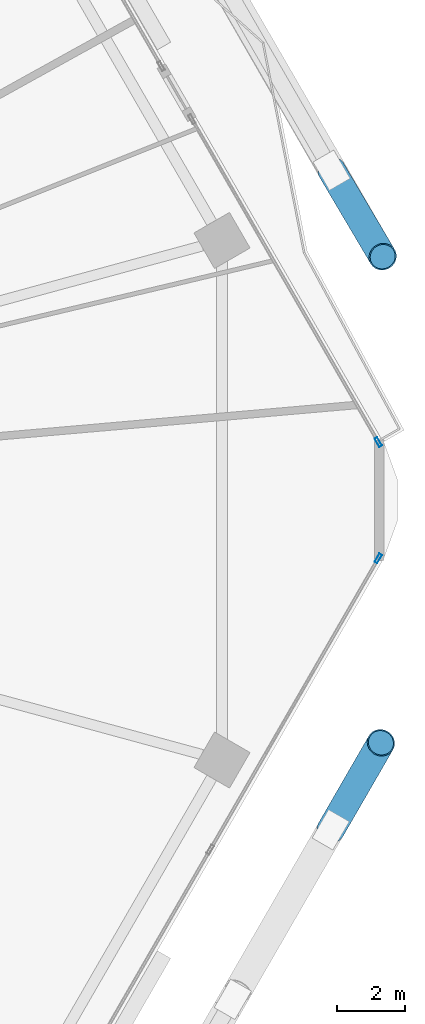
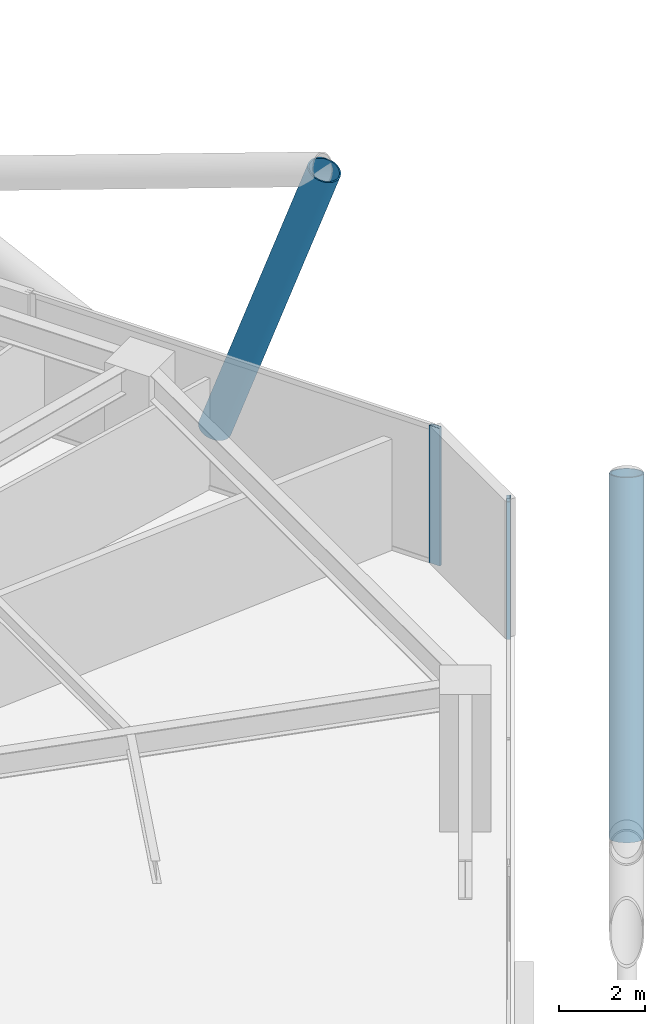
# One storey, part 23 of 30: 4 members, 2 elements without a shape of their own.
"""IFC4 building model written with IfcOpenShell, lengths in metres."""

from ifc_helpers import new_model, si_unit, direction, frame, origin, origin_2d, place, context, subcontext, project, spatial, hollow_rectangle, hollow_circle, extrude, material, material_profile, profile_set, type_object, element, aggregate, save


model = new_model("IFC4")

# Units and contexts
model_context = context("Model", 3, precision=1e-05, world=origin(), true_north=direction((0.0, 1.0)))
body_context = subcontext(model_context, "Body", "Model", "MODEL_VIEW")
ifc_project = project(units=[si_unit("LENGTHUNIT", "METRE"), si_unit("AREAUNIT", "SQUARE_METRE"), si_unit("VOLUMEUNIT", "CUBIC_METRE"), si_unit("PLANEANGLEUNIT", "RADIAN"), si_unit("MASSUNIT", "GRAM", prefix="KILO")], contexts=[model_context])

# Site, building, storey
site_placement = place(None, origin())
site = spatial("IfcSite", under=ifc_project, at=site_placement, CompositionType="ELEMENT")
building_placement = place(site_placement, origin())
building = spatial("IfcBuilding", under=site, at=building_placement, Name="Zuhravey Tower", CompositionType="ELEMENT")
storey_placement = place(building_placement, frame((0.0, 0.0, 16.199951171875)))
storey = spatial("IfcBuildingStorey", under=building, at=storey_placement, Name="L04", CompositionType="ELEMENT", Elevation=16.199951171875)

# Curtain wall, member
ifc_material_1 = material(Name="Thermally broken anodised aluminium", Category="aluminium")
curtain_wall_type = type_object("IfcCurtainWallType", Name="School Low-E Unitised Curtain Wall CW1", PredefinedType="NOTDEFINED", material=ifc_material_1)
curtain_wall_1_placement = place(storey_placement, origin())
curtain_wall_1 = element("IfcCurtainWall", 1, at=curtain_wall_1_placement, inside=storey, type_object=curtain_wall_type, Name="L04 CW1 CW-L04-F6-1", PredefinedType="NOTDEFINED")
ifc_material_2 = material(Name="Anodised aluminium", Category="aluminium")
ifc_material_profile_1 = material_profile(ifc_material_2, hollow_rectangle(XDim=0.090087890625, YDim=0.284912109375, WallThickness=0.0048828125, at=origin_2d()), Name="ALU-RHS-90x285x5")
ifc_profile_set_1 = profile_set([ifc_material_profile_1], Name="Anodised aluminium")
member_type_1 = type_object("IfcMemberType", Name="Curtain-Wall Mullion 90x180", PredefinedType="MULLION", material=ifc_profile_set_1)
member_1_placement = place(storey_placement, frame((68.4560546875, 30.298583984375, 0.0), z_axis=(0.0, 0.0, 1.0), x_axis=(0.86602552265, -0.499999794119, 0.0)))
member_1 = element("IfcMember", 2, at=member_1_placement, type_object=member_type_1, Name="CW1 mullion 1", PredefinedType="MULLION", context=body_context, shape_type="SweptSolid", body=[
    extrude(hollow_rectangle(XDim=0.090087890625, YDim=0.284912109375, WallThickness=0.0048828125, at=origin_2d()), origin(), (0.0, 0.0, 1.0), 3.920166015625),
])
aggregate(curtain_wall_1, [member_1])

curtain_wall_2_placement = place(storey_placement, origin())
curtain_wall_2 = element("IfcCurtainWall", 3, at=curtain_wall_2_placement, inside=storey, type_object=curtain_wall_type, Name="L04 CW1 CW-L04-F1-2", PredefinedType="NOTDEFINED")
member_2_placement = place(storey_placement, frame((68.4560546875, 33.701416015625, 0.0), z_axis=(0.0, 0.0, 1.0), x_axis=(0.866026545681, 0.499998022171, 0.0)))
member_2 = element("IfcMember", 4, at=member_2_placement, type_object=member_type_1, Name="CW1 mullion 2", PredefinedType="MULLION", context=body_context, shape_type="SweptSolid", body=[
    extrude(hollow_rectangle(XDim=0.090087890625, YDim=0.284912109375, WallThickness=0.0048828125, at=origin_2d()), origin(), (0.0, 0.0, 1.0), 3.920166015625),
])
aggregate(curtain_wall_2, [member_2])

# Members
ifc_material_3 = material(Name="Steel SM460", Category="steel")
ifc_material_profile_2 = material_profile(ifc_material_3, hollow_circle(Radius=0.406494140625, WallThickness=0.035888671875, at=origin_2d()), Name="CHS-812.8x36")
ifc_profile_set_2 = profile_set([ifc_material_profile_2], Name="Steel SM460")
member_type_2 = type_object("IfcMemberType", Name="Exoskeleton Zone 1 Diagrid CHS813x36", PredefinedType="BRACE", material=ifc_profile_set_2)
for number, where, z_axis, x_axis, name in (
    (5, (67.095703125, 41.637451171875, -0.471923828125), (0.168257085862, -0.284647311923, 0.943750740859), (0.860851811268, 0.508855734995, 0.0), "L04 Face 1 Diagrid Brace 1"),
    (6, (67.06982421875, 22.37744140625, -0.471923828125), (0.165307317227, 0.286358046605, 0.943754501984), (-0.866053660865, 0.499951054106, 0.0), "L04 Face 6 Diagrid Brace 4"),
):
    element("IfcMember", number, at=place(storey_placement, frame(where, z_axis=z_axis, x_axis=x_axis)), inside=storey, type_object=member_type_2, Name=name, PredefinedType="BRACE", context=body_context, shape_type="SweptSolid", body=[
        extrude(hollow_circle(Radius=0.406494140625, WallThickness=0.035888671875, at=origin_2d()), origin(), (0.0, 0.0, 1.0), 8.85400390625),
    ])

save(model, "model.ifc")
